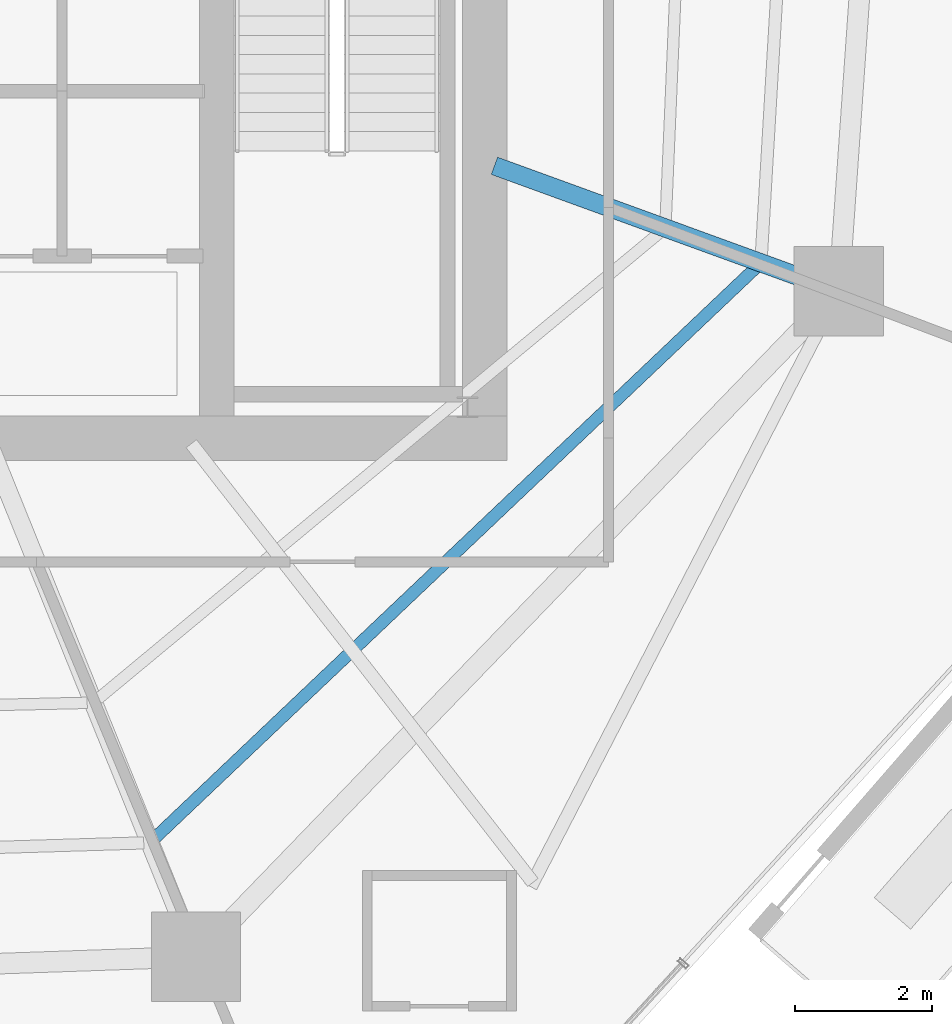
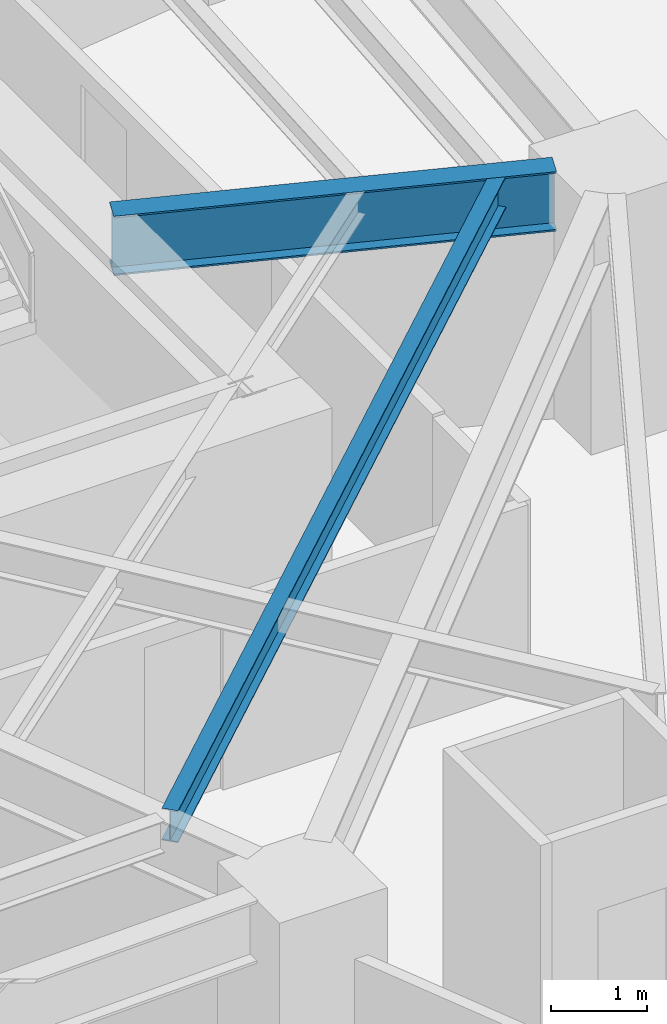
# One storey, part 13 of 33: 2 beams.
"""IFC4 building model written with IfcOpenShell, lengths in metres."""

from ifc_helpers import new_model, si_unit, direction, frame, origin, origin_2d, place, context, subcontext, project, spatial, i_section, extrude, material, material_profile, profile_set, type_object, element, save


model = new_model("IFC4")

# Units and contexts
model_context = context("Model", 3, precision=1e-05, world=origin(), true_north=direction((0.0, 1.0)))
body_context = subcontext(model_context, "Body", "Model", "MODEL_VIEW")
ifc_project = project(units=[si_unit("LENGTHUNIT", "METRE"), si_unit("AREAUNIT", "SQUARE_METRE"), si_unit("VOLUMEUNIT", "CUBIC_METRE"), si_unit("PLANEANGLEUNIT", "RADIAN"), si_unit("MASSUNIT", "GRAM", prefix="KILO")], contexts=[model_context])

# Site, building, storey
site_placement = place(None, origin())
site = spatial("IfcSite", under=ifc_project, at=site_placement, CompositionType="ELEMENT")
building_placement = place(site_placement, origin())
building = spatial("IfcBuilding", under=site, at=building_placement, Name="Qarnah Convention Tower", CompositionType="ELEMENT")
storey_placement = place(building_placement, frame((0.0, 0.0, 27.0)))
storey = spatial("IfcBuildingStorey", under=building, at=storey_placement, Name="L05", CompositionType="ELEMENT", Elevation=27.0)

# Beams
ifc_material = material(Name="Structural steel S355JR", Category="steel")
ifc_material_profile_1 = material_profile(ifc_material, i_section(OverallWidth=0.177978515625, OverallDepth=0.407958984375, WebThickness=0.008056640625, FlangeThickness=0.012939453125, at=origin_2d()), Name="W410X60")
ifc_profile_set_1 = profile_set([ifc_material_profile_1], Name="Structural steel S355JR")
beam_type_1 = type_object("IfcBeamType", Name="BM-JST-W410", PredefinedType="JOIST", material=ifc_profile_set_1)
beam_1_placement = place(storey_placement, frame((42.7939453125, 12.777099609375, 2.966064453125), z_axis=(0.725372328133, 0.688356728433, 0.0), x_axis=(-0.688356728433, 0.725372328133, 0.0)))
element("IfcBeam", 1, at=beam_1_placement, inside=storey, type_object=beam_type_1, Name="L05 joist BM-L05-SJST-08", PredefinedType="JOIST", context=body_context, shape_type="SweptSolid", body=[
    extrude(i_section(OverallWidth=0.177978515625, OverallDepth=0.407958984375, WebThickness=0.008056640625, FlangeThickness=0.012939453125, at=origin_2d()), origin(), (0.0, 0.0, 1.0), 12.07666015625),
])
ifc_material_profile_2 = material_profile(ifc_material, i_section(OverallWidth=0.26806640625, OverallDepth=0.760009765625, WebThickness=0.014892578125, FlangeThickness=0.02197265625, at=origin_2d()), Name="W760X185")
ifc_profile_set_2 = profile_set([ifc_material_profile_2], Name="Structural steel S355JR")
beam_type_2 = type_object("IfcBeamType", Name="BM-RAD-W760", PredefinedType="BEAM", material=ifc_profile_set_2)
beam_2_placement = place(storey_placement, frame((47.740966796875, 22.56396484375, 2.7900390625), z_axis=(0.939656930297, -0.342118186224, 0.0), x_axis=(0.342118186224, 0.939656930297, 0.0)))
element("IfcBeam", 2, at=beam_2_placement, inside=storey, type_object=beam_type_2, Name="L05 beam BM-L05-RAD-09", PredefinedType="BEAM", context=body_context, shape_type="SweptSolid", body=[
    extrude(i_section(OverallWidth=0.26806640625, OverallDepth=0.760009765625, WebThickness=0.014892578125, FlangeThickness=0.02197265625, at=origin_2d()), origin(), (0.0, 0.0, 1.0), 4.70263671875),
])

save(model, "model.ifc")
